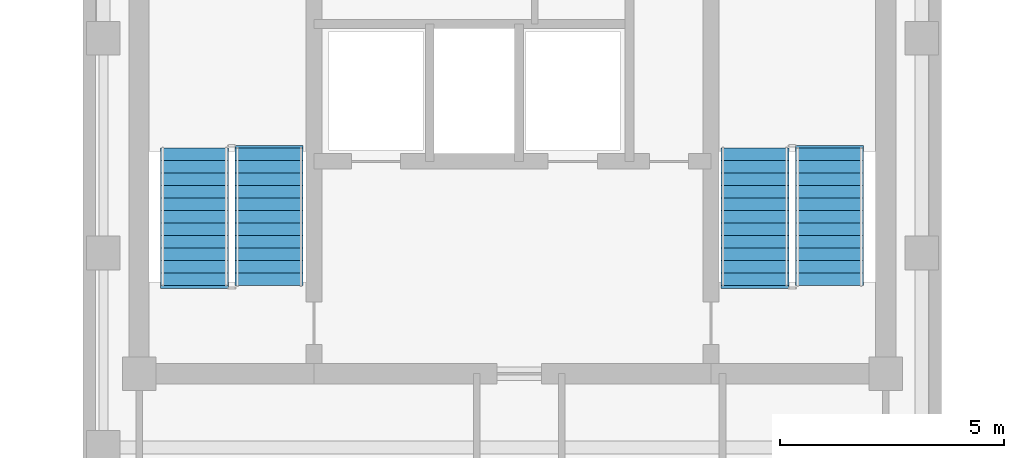
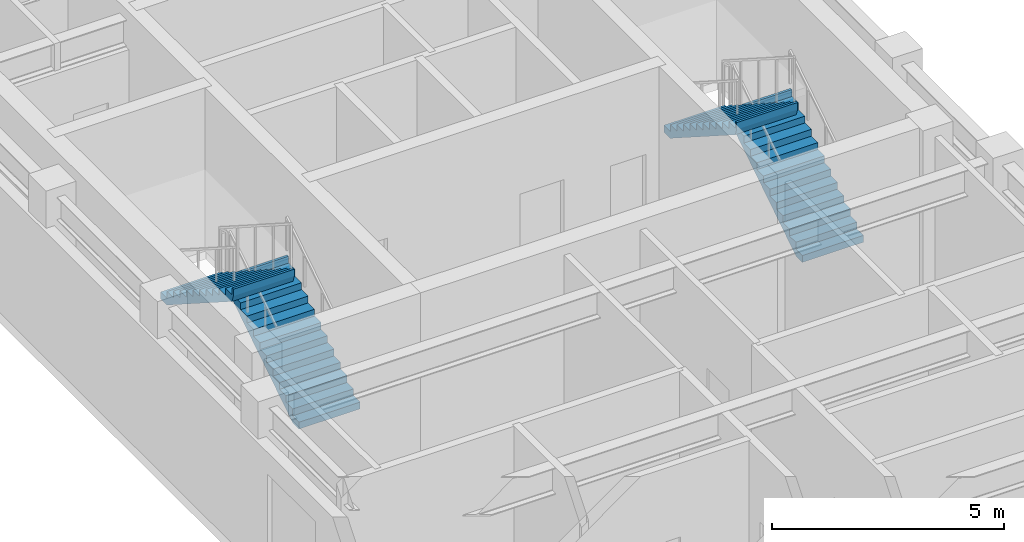
# One storey, part 5 of 6: 4 stair flights, 2 elements without a shape of their own.
"""IFC4 building model written with IfcOpenShell, lengths in metres."""

from ifc_helpers import new_model, si_unit, direction, frame, origin, place, context, subcontext, project, spatial, polyline, outline, extrude, material, type_object, element, aggregate, save


model = new_model("IFC4")

# Units and contexts
model_context = context("Model", 3, precision=1e-05, world=origin(), true_north=direction((0.0, 1.0)))
body_context = subcontext(model_context, "Body", "Model", "MODEL_VIEW")
ifc_project = project(units=[si_unit("LENGTHUNIT", "METRE"), si_unit("AREAUNIT", "SQUARE_METRE"), si_unit("VOLUMEUNIT", "CUBIC_METRE"), si_unit("PLANEANGLEUNIT", "RADIAN"), si_unit("MASSUNIT", "GRAM", prefix="KILO")], contexts=[model_context])

# Site, building, storey
site_placement = place(None, origin())
site = spatial("IfcSite", under=ifc_project, at=site_placement, CompositionType="ELEMENT")
building_placement = place(site_placement, origin())
building = spatial("IfcBuilding", under=site, at=building_placement, Name="Orvandelia Arch Residences", CompositionType="ELEMENT")
storey_placement = place(building_placement, frame((0.0, 0.0, 248.39990234375)))
storey = spatial("IfcBuildingStorey", under=building, at=storey_placement, Name="L65", CompositionType="ELEMENT", Elevation=248.39990234375)

# Stair, stair flights
ifc_material = material(Name="Concrete C40/50", Category="concrete")
stair_type = type_object("IfcStairType", Name="STAIR-RC-DOGLEG", PredefinedType="HALF_TURN_STAIR", material=ifc_material)
stair_1_placement = place(storey_placement, origin())
stair_1 = element("IfcStair", 1, at=stair_1_placement, inside=storey, type_object=stair_type, Name="L65 Protected Exit Stair ST-1", PredefinedType="HALF_TURN_STAIR")
stair_flight_type = type_object("IfcStairFlightType", Name="STFLT-RC-1520", PredefinedType="STRAIGHT", material=ifc_material)
stair_flight_1_placement = place(storey_placement, frame((8.9599609375, 32.8701171875, 0.0), z_axis=(0.0, 0.0, 1.0), x_axis=(0.0, 1.0, 0.0)))
stair_flight_1 = element("IfcStairFlight", 2, at=stair_flight_1_placement, type_object=stair_flight_type, Name="ST-1 flight 1", NumberOfRisers=12, NumberOfTreads=11, PredefinedType="STRAIGHT", RiserHeight=0.179166667, TreadLength=0.28, context=body_context, shape_type="SweptSolid", body=[
    extrude(outline(polyline([(0.0, 0.0), (0.0, 0.17919921875), (0.280029296875, 0.17919921875), (0.280029296875, 0.3583984375), (0.56005859375, 0.3583984375), (0.56005859375, 0.53759765625), (0.840087890625, 0.53759765625), (0.840087890625, 0.716552734375), (1.1201171875, 0.716552734375), (1.1201171875, 0.895751953125), (1.39990234375, 0.895751953125), (1.39990234375, 1.074951171875), (1.679931640625, 1.074951171875), (1.679931640625, 1.254150390625), (1.9599609375, 1.254150390625), (1.9599609375, 1.433349609375), (2.239990234375, 1.433349609375), (2.239990234375, 1.612548828125), (2.52001953125, 1.612548828125), (2.52001953125, 1.791748046875), (2.800048828125, 1.791748046875), (2.800048828125, 1.970947265625), (3.080078125, 1.970947265625), (3.080078125, 2.14990234375), (3.139892578125, 2.14990234375), (3.139892578125, 1.969970703125), (3.080078125, 1.79296875), (0.278076171875, 0.0), (0.0, 0.0)])), frame((0.0, 0.760009765625, 0.0), z_axis=(0.0, -1.0, 0.0), x_axis=(1.0, 0.0, 0.0)), (0.0, 0.0, 1.0), 1.52001953125),
])
stair_flight_2_placement = place(storey_placement, frame((7.2900390625, 35.949951171875, 2.150146484375), z_axis=(0.0, 0.0, 1.0), x_axis=(0.0, -1.0, 0.0)))
stair_flight_2 = element("IfcStairFlight", 3, at=stair_flight_2_placement, type_object=stair_flight_type, Name="ST-1 flight 2", NumberOfRisers=12, NumberOfTreads=11, PredefinedType="STRAIGHT", RiserHeight=0.179166667, TreadLength=0.28, context=body_context, shape_type="SweptSolid", body=[
    extrude(outline(polyline([(0.0, 0.0), (0.0, 0.17919921875), (0.280029296875, 0.17919921875), (0.280029296875, 0.3583984375), (0.56005859375, 0.3583984375), (0.56005859375, 0.53759765625), (0.840087890625, 0.53759765625), (0.840087890625, 0.716552734375), (1.1201171875, 0.716552734375), (1.1201171875, 0.895751953125), (1.39990234375, 0.895751953125), (1.39990234375, 1.074951171875), (1.679931640625, 1.074951171875), (1.679931640625, 1.254150390625), (1.9599609375, 1.254150390625), (1.9599609375, 1.433349609375), (2.239990234375, 1.433349609375), (2.239990234375, 1.612548828125), (2.52001953125, 1.612548828125), (2.52001953125, 1.791748046875), (2.800048828125, 1.791748046875), (2.800048828125, 1.970947265625), (3.080078125, 1.970947265625), (3.080078125, 2.14990234375), (3.139892578125, 2.14990234375), (3.139892578125, 1.969970703125), (3.080078125, 1.79296875), (0.278076171875, 0.0), (0.0, 0.0)])), frame((0.0, 0.760009765625, 0.0), z_axis=(0.0, -1.0, 0.0), x_axis=(1.0, 0.0, 0.0)), (0.0, 0.0, 1.0), 1.52001953125),
])
aggregate(stair_1, [stair_flight_1, stair_flight_2])

stair_2_placement = place(storey_placement, origin())
stair_2 = element("IfcStair", 4, at=stair_2_placement, inside=storey, type_object=stair_type, Name="L65 Protected Exit Stair ST-2", PredefinedType="HALF_TURN_STAIR")
stair_flight_3_placement = place(storey_placement, frame((21.489990234375, 32.8701171875, 0.0), z_axis=(0.0, 0.0, 1.0), x_axis=(0.0, 1.0, 0.0)))
stair_flight_3 = element("IfcStairFlight", 5, at=stair_flight_3_placement, type_object=stair_flight_type, Name="ST-2 flight 1", NumberOfRisers=12, NumberOfTreads=11, PredefinedType="STRAIGHT", RiserHeight=0.179166667, TreadLength=0.28, context=body_context, shape_type="SweptSolid", body=[
    extrude(outline(polyline([(0.0, 0.0), (0.0, 0.17919921875), (0.280029296875, 0.17919921875), (0.280029296875, 0.3583984375), (0.56005859375, 0.3583984375), (0.56005859375, 0.53759765625), (0.840087890625, 0.53759765625), (0.840087890625, 0.716552734375), (1.1201171875, 0.716552734375), (1.1201171875, 0.895751953125), (1.39990234375, 0.895751953125), (1.39990234375, 1.074951171875), (1.679931640625, 1.074951171875), (1.679931640625, 1.254150390625), (1.9599609375, 1.254150390625), (1.9599609375, 1.433349609375), (2.239990234375, 1.433349609375), (2.239990234375, 1.612548828125), (2.52001953125, 1.612548828125), (2.52001953125, 1.791748046875), (2.800048828125, 1.791748046875), (2.800048828125, 1.970947265625), (3.080078125, 1.970947265625), (3.080078125, 2.14990234375), (3.139892578125, 2.14990234375), (3.139892578125, 1.969970703125), (3.080078125, 1.79296875), (0.278076171875, 0.0), (0.0, 0.0)])), frame((0.0, 0.760009765625, 0.0), z_axis=(0.0, -1.0, 0.0), x_axis=(1.0, 0.0, 0.0)), (0.0, 0.0, 1.0), 1.52001953125),
])
stair_flight_4_placement = place(storey_placement, frame((19.820068359375, 35.949951171875, 2.150146484375), z_axis=(0.0, 0.0, 1.0), x_axis=(0.0, -1.0, 0.0)))
stair_flight_4 = element("IfcStairFlight", 6, at=stair_flight_4_placement, type_object=stair_flight_type, Name="ST-2 flight 2", NumberOfRisers=12, NumberOfTreads=11, PredefinedType="STRAIGHT", RiserHeight=0.179166667, TreadLength=0.28, context=body_context, shape_type="SweptSolid", body=[
    extrude(outline(polyline([(0.0, 0.0), (0.0, 0.17919921875), (0.280029296875, 0.17919921875), (0.280029296875, 0.3583984375), (0.56005859375, 0.3583984375), (0.56005859375, 0.53759765625), (0.840087890625, 0.53759765625), (0.840087890625, 0.716552734375), (1.1201171875, 0.716552734375), (1.1201171875, 0.895751953125), (1.39990234375, 0.895751953125), (1.39990234375, 1.074951171875), (1.679931640625, 1.074951171875), (1.679931640625, 1.254150390625), (1.9599609375, 1.254150390625), (1.9599609375, 1.433349609375), (2.239990234375, 1.433349609375), (2.239990234375, 1.612548828125), (2.52001953125, 1.612548828125), (2.52001953125, 1.791748046875), (2.800048828125, 1.791748046875), (2.800048828125, 1.970947265625), (3.080078125, 1.970947265625), (3.080078125, 2.14990234375), (3.139892578125, 2.14990234375), (3.139892578125, 1.969970703125), (3.080078125, 1.79296875), (0.278076171875, 0.0), (0.0, 0.0)])), frame((0.0, 0.760009765625, 0.0), z_axis=(0.0, -1.0, 0.0), x_axis=(1.0, 0.0, 0.0)), (0.0, 0.0, 1.0), 1.52001953125),
])
aggregate(stair_2, [stair_flight_3, stair_flight_4])

save(model, "model.ifc")
